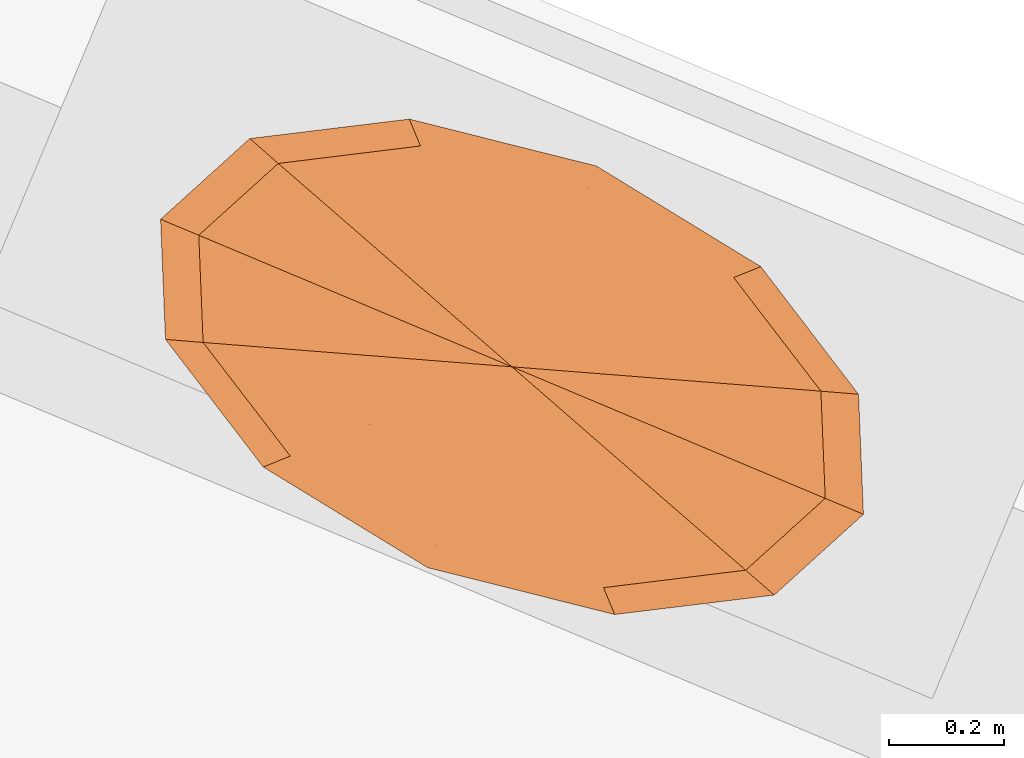
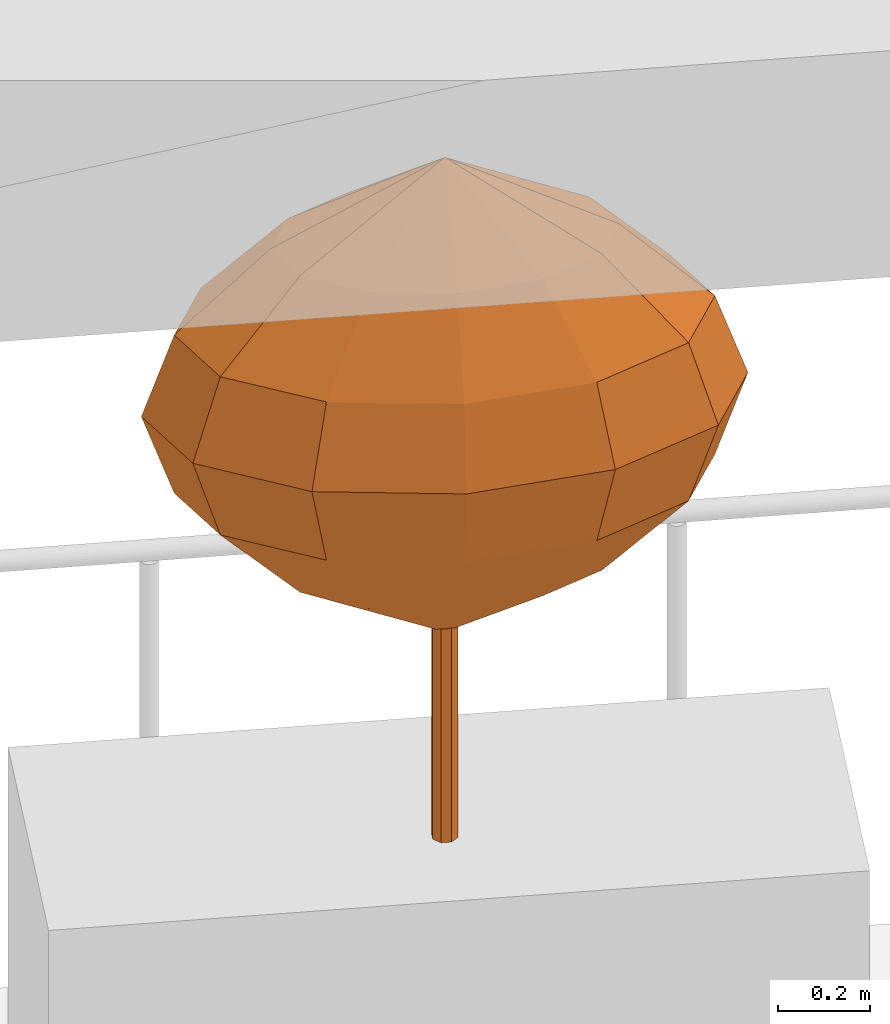
# One storey, part 12 of 12: 1 geographic element.
"""IFC4 building model written with IfcOpenShell, lengths in metres."""

from ifc_helpers import new_model, si_unit, direction, frame, origin, place, context, subcontext, project, spatial, faceted_brep, material, constituent, constituent_set, type_object, element, save


model = new_model("IFC4")

# Units and contexts
model_context = context("Model", 3, precision=1e-05, world=origin(), true_north=direction((0.0, 1.0)))
body_context = subcontext(model_context, "Body", "Model", "MODEL_VIEW")
ifc_project = project(units=[si_unit("LENGTHUNIT", "METRE"), si_unit("AREAUNIT", "SQUARE_METRE"), si_unit("VOLUMEUNIT", "CUBIC_METRE"), si_unit("PLANEANGLEUNIT", "RADIAN"), si_unit("MASSUNIT", "GRAM", prefix="KILO")], contexts=[model_context])

# Site, building, storey
site_placement = place(None, origin())
site = spatial("IfcSite", under=ifc_project, at=site_placement, CompositionType="ELEMENT")
building_placement = place(site_placement, origin())
building = spatial("IfcBuilding", under=site, at=building_placement, Name="Taillehof Tower", CompositionType="ELEMENT")
storey_placement = place(building_placement, frame((0.0, 0.0, 236.60009765625)))
storey = spatial("IfcBuildingStorey", under=building, at=storey_placement, Name="L67", CompositionType="ELEMENT", Elevation=236.60009765625)

# Geographic element
ifc_material_1 = material(Name="Tree bark", Category="timber")
ifc_constituent_1 = constituent(ifc_material_1, Name="Trunk", Category="timber")
ifc_material_2 = material(Name="Tree foliage")
ifc_constituent_2 = constituent(ifc_material_2, Name="Crown")
ifc_constituent_set = constituent_set(constituents=[ifc_constituent_1, ifc_constituent_2], Name="Tree TR4 Sea buckthorn standard")
geographic_element_type = type_object("IfcGeographicElementType", Name="Tree TR4 Sea buckthorn standard", PredefinedType="USERDEFINED", material=ifc_constituent_set)
geographic_element_placement = place(storey_placement, frame((10.07958984375, 19.973388671875, 0.75)))
element("IfcGeographicElement", 1, at=geographic_element_placement, inside=storey, type_object=geographic_element_type, Name="Tree TR4 Sea buckthorn standard", ObjectType="TREE", PredefinedType="USERDEFINED", context=body_context, shape_type="Brep", body=[
    faceted_brep([(0.030029296875, 0.0, 0.0), (0.021240234375, 0.021240234375, 0.0), (0.021240234375, 0.021240234375, 0.98095703125), (0.030029296875, 0.0, 0.98095703125), (0.0, 0.030029296875, 0.0), (0.0, 0.030029296875, 0.98095703125), (-0.021240234375, 0.021240234375, 0.0), (-0.021240234375, 0.021240234375, 0.98095703125), (-0.030029296875, 0.0, 0.0), (-0.030029296875, 0.0, 0.98095703125), (-0.021240234375, -0.021240234375, 0.0), (-0.021240234375, -0.021240234375, 0.98095703125), (0.0, -0.030029296875, 0.0), (0.0, -0.030029296875, 0.98095703125), (0.021240234375, -0.021240234375, 0.0), (0.021240234375, -0.021240234375, 0.98095703125)], [[[0, 1, 2, 3]], [[1, 4, 5, 2]], [[4, 6, 7, 5]], [[6, 8, 9, 7]], [[8, 10, 11, 9]], [[10, 12, 13, 11]], [[12, 14, 15, 13]], [[14, 0, 3, 15]], [[14, 12, 10, 8, 6, 4, 1, 0]], [[3, 2, 5, 7, 9, 11, 13, 15]]]),
    faceted_brep([(0.0, 0.0, 0.5400390625), (-0.34716796875, 0.02734375, 0.75), (-0.35205078125, 0.14794921875, 0.75), (-0.249267578125, -0.100341796875, 0.75), (-0.08447265625, -0.201171875, 0.75), (0.10302734375, -0.248291015625, 0.75), (0.2626953125, -0.228759765625, 0.75), (0.35205078125, -0.14794921875, 0.75), (0.34716796875, -0.02734375, 0.75), (0.249267578125, 0.100341796875, 0.75), (0.08447265625, 0.201171875, 0.75), (-0.10302734375, 0.248291015625, 0.75), (-0.2626953125, 0.228759765625, 0.75), (-0.538818359375, 0.04248046875, 0.9599609375), (-0.54638671875, 0.2294921875, 0.9599609375), (-0.38671875, -0.15576171875, 0.9599609375), (-0.131103515625, -0.312255859375, 0.9599609375), (0.15966796875, -0.38525390625, 0.9599609375), (0.40771484375, -0.354736328125, 0.9599609375), (0.54638671875, -0.2294921875, 0.9599609375), (0.538818359375, -0.04248046875, 0.9599609375), (0.38671875, 0.15576171875, 0.9599609375), (0.131103515625, 0.312255859375, 0.9599609375), (-0.15966796875, 0.38525390625, 0.9599609375), (-0.40771484375, 0.354736328125, 0.9599609375), (-0.6044921875, 0.0478515625, 1.169921875), (-0.613037109375, 0.25732421875, 1.169921875), (-0.43408203125, -0.1748046875, 1.169921875), (-0.147216796875, -0.350341796875, 1.169921875), (0.17919921875, -0.43212890625, 1.169921875), (0.45751953125, -0.398193359375, 1.169921875), (0.613037109375, -0.25732421875, 1.169921875), (0.6044921875, -0.0478515625, 1.169921875), (0.43408203125, 0.1748046875, 1.169921875), (0.147216796875, 0.350341796875, 1.169921875), (-0.17919921875, 0.43212890625, 1.169921875), (-0.45751953125, 0.398193359375, 1.169921875), (-0.538818359375, 0.04248046875, 1.3798828125), (-0.54638671875, 0.2294921875, 1.3798828125), (-0.38671875, -0.15576171875, 1.3798828125), (-0.131103515625, -0.312255859375, 1.3798828125), (0.15966796875, -0.38525390625, 1.3798828125), (0.40771484375, -0.354736328125, 1.3798828125), (0.54638671875, -0.2294921875, 1.3798828125), (0.538818359375, -0.04248046875, 1.3798828125), (0.38671875, 0.15576171875, 1.3798828125), (0.131103515625, 0.312255859375, 1.3798828125), (-0.15966796875, 0.38525390625, 1.3798828125), (-0.40771484375, 0.354736328125, 1.3798828125), (-0.34716796875, 0.02734375, 1.590087890625), (-0.35205078125, 0.14794921875, 1.590087890625), (-0.249267578125, -0.100341796875, 1.590087890625), (-0.08447265625, -0.201171875, 1.590087890625), (0.10302734375, -0.248291015625, 1.590087890625), (0.2626953125, -0.228759765625, 1.590087890625), (0.35205078125, -0.14794921875, 1.590087890625), (0.34716796875, -0.02734375, 1.590087890625), (0.249267578125, 0.100341796875, 1.590087890625), (0.08447265625, 0.201171875, 1.590087890625), (-0.10302734375, 0.248291015625, 1.590087890625), (-0.2626953125, 0.228759765625, 1.590087890625), (0.0, 0.0, 1.800048828125)], [[[0, 1, 2]], [[0, 3, 1]], [[0, 4, 3]], [[0, 5, 4]], [[0, 6, 5]], [[0, 7, 6]], [[0, 8, 7]], [[0, 9, 8]], [[0, 10, 9]], [[0, 11, 10]], [[0, 12, 11]], [[0, 2, 12]], [[2, 1, 13, 14]], [[1, 3, 15, 13]], [[3, 4, 16, 15]], [[4, 5, 17, 16]], [[5, 6, 18, 17]], [[6, 7, 19, 18]], [[7, 8, 20, 19]], [[8, 9, 21, 20]], [[9, 10, 22, 21]], [[10, 11, 23, 22]], [[11, 12, 24, 23]], [[12, 2, 14, 24]], [[14, 13, 25, 26]], [[13, 15, 27, 25]], [[15, 16, 28, 27]], [[16, 17, 29, 28]], [[17, 18, 30, 29]], [[18, 19, 31, 30]], [[19, 20, 32, 31]], [[20, 21, 33, 32]], [[21, 22, 34, 33]], [[22, 23, 35, 34]], [[23, 24, 36, 35]], [[24, 14, 26, 36]], [[26, 25, 37, 38]], [[25, 27, 39, 37]], [[27, 28, 40, 39]], [[28, 29, 41, 40]], [[29, 30, 42, 41]], [[30, 31, 43, 42]], [[31, 32, 44, 43]], [[32, 33, 45, 44]], [[33, 34, 46, 45]], [[34, 35, 47, 46]], [[35, 36, 48, 47]], [[36, 26, 38, 48]], [[38, 37, 49, 50]], [[37, 39, 51, 49]], [[39, 40, 52, 51]], [[40, 41, 53, 52]], [[41, 42, 54, 53]], [[42, 43, 55, 54]], [[43, 44, 56, 55]], [[44, 45, 57, 56]], [[45, 46, 58, 57]], [[46, 47, 59, 58]], [[47, 48, 60, 59]], [[48, 38, 50, 60]], [[50, 49, 61]], [[49, 51, 61]], [[51, 52, 61]], [[52, 53, 61]], [[53, 54, 61]], [[54, 55, 61]], [[55, 56, 61]], [[56, 57, 61]], [[57, 58, 61]], [[58, 59, 61]], [[59, 60, 61]], [[60, 50, 61]]]),
])

save(model, "model.ifc")
